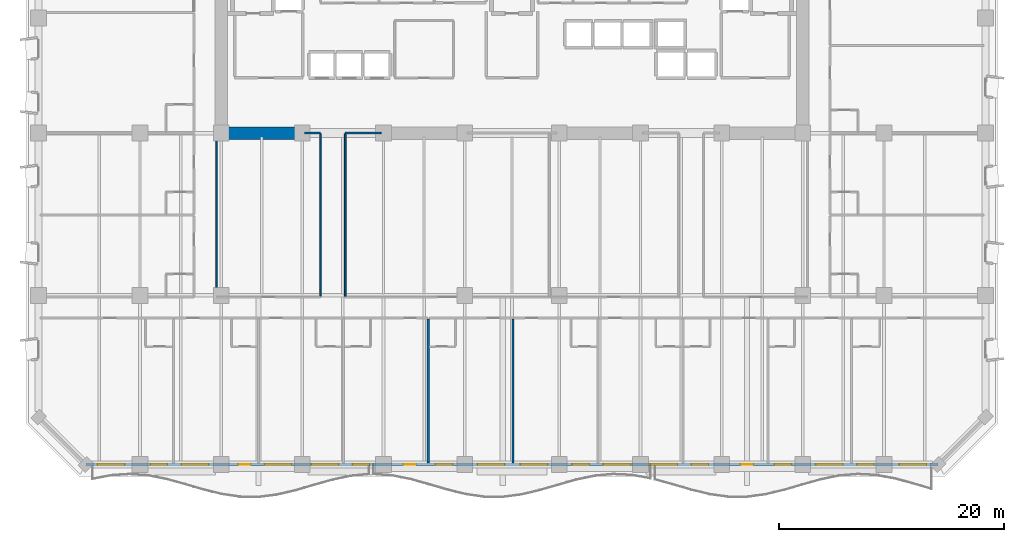
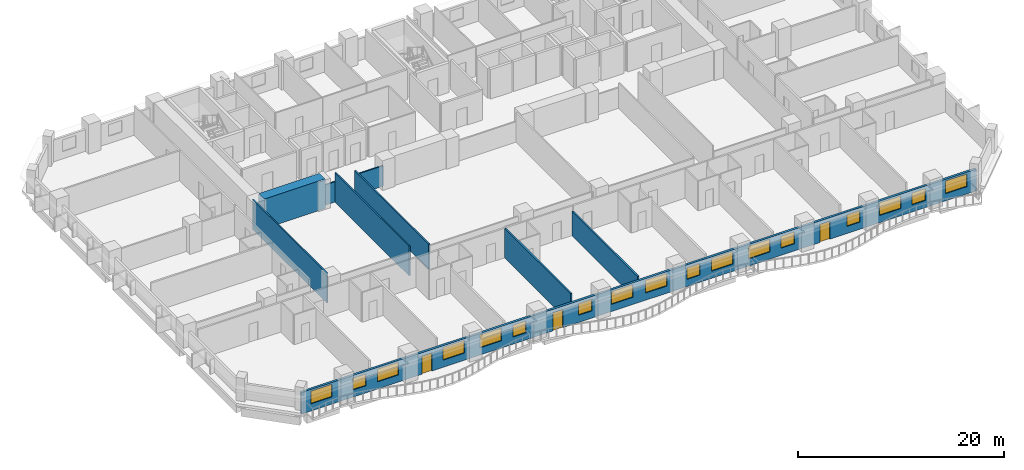
# One storey, part 5 of 15: 17 windows, 9 walls, 3 doors, 20 openings.
"""IFC4 building model written with IfcOpenShell, lengths in metres."""

from ifc_helpers import new_model, si_unit, direction, frame, frame_2d, origin, place, context, subcontext, project, spatial, rectangle, extrude, material, layer, layer_set, type_object, element, fill, save


model = new_model("IFC4")

# Units and contexts
model_context = context("Model", 3, precision=1e-05, world=origin(), true_north=direction((0.0, 1.0)))
body_context = subcontext(model_context, "Body", "Model", "MODEL_VIEW")
ifc_project = project(units=[si_unit("LENGTHUNIT", "METRE"), si_unit("AREAUNIT", "SQUARE_METRE"), si_unit("VOLUMEUNIT", "CUBIC_METRE"), si_unit("PLANEANGLEUNIT", "RADIAN"), si_unit("MASSUNIT", "GRAM", prefix="KILO")], contexts=[model_context])

# Site, building, storey
site_placement = place(None, origin())
site = spatial("IfcSite", under=ifc_project, at=site_placement, CompositionType="ELEMENT")
building_placement = place(site_placement, origin())
building = spatial("IfcBuilding", under=site, at=building_placement, Name="Kaelvorn Grand Hotel", CompositionType="ELEMENT")
storey_placement = place(building_placement, frame((0.0, 0.0, 68.89990234375)))
storey = spatial("IfcBuildingStorey", under=building, at=storey_placement, Name="L15", CompositionType="ELEMENT", Elevation=68.89990234375)

# Wall
ifc_material_1 = material(Name="Concrete C80/95", Category="concrete")
ifc_layer_1 = layer(ifc_material_1, 1.10009765625)
ifc_layer_set_1 = layer_set([ifc_layer_1], Name="Concrete C80/95")
wall_type_1 = type_object("IfcWallType", Name="WL-CORE-1100-C80", PredefinedType="SHEAR", material=ifc_layer_set_1)
wall_1_placement = place(storey_placement, frame((16.7548828125, 29.39990234375, 0.0), z_axis=(0.0, 0.0, 1.0), x_axis=(1.0, 0.0, 0.0)))
element("IfcWall", 1, at=wall_1_placement, inside=storey, type_object=wall_type_1, Name="L15 Rear-Core Coupled Shear Pier S1", PredefinedType="SHEAR", context=body_context, shape_type="SweptSolid", body=[
    extrude(rectangle(XDim=6.84521484375, YDim=1.10009765625, at=frame_2d((3.422607421875, 0.0))), origin(), (0.0, 0.0, 1.0), 3.510009765625),
])

# Wall, openings, doors, windows
ifc_material_2 = material(Name="Concrete C40/50", Category="concrete")
ifc_layer_2 = layer(ifc_material_2, 0.260009765625)
ifc_layer_set_2 = layer_set([ifc_layer_2], Name="Concrete C40/50")
wall_type_2 = type_object("IfcWallType", Name="WL-EXT-260-C40", PredefinedType="SOLIDWALL", material=ifc_layer_set_2)
wall_2_placement = place(storey_placement, frame((4.199951171875, 0.0, 0.0), z_axis=(0.0, 0.0, 1.0), x_axis=(1.0, 0.0, 0.0)))
wall_2 = element("IfcWall", 2, at=wall_2_placement, inside=storey, type_object=wall_type_2, Name="L15 Exterior Architectural Concrete Wall 01", PredefinedType="SOLIDWALL", context=body_context, shape_type="SweptSolid", body=[
    extrude(rectangle(XDim=75.60009765625, YDim=0.260009765625, at=frame_2d((37.800048828125, 0.0))), origin(), (0.0, 0.0, 1.0), 2.56005859375),
])
opening_1_placement = place(wall_2_placement, frame((13.5166015625, 0.0, 0.0)))
opening_1 = element("IfcOpeningElement", 3, at=opening_1_placement, cuts=wall_2, Name="Opening DE2", PredefinedType="OPENING", context=body_context, shape_type="SweptSolid", body=[
    extrude(rectangle(XDim=1.10009765625, YDim=2.14990234375, at=frame_2d((0.550048828125, 1.074951171875))), frame((0.0, 0.14013671875, 0.0), z_axis=(0.0, -1.0, 0.0), x_axis=(1.0, 0.0, 0.0)), (0.0, 0.0, 1.0), 0.280029296875),
])
opening_2_placement = place(wall_2_placement, frame((28.183349609375, 0.0, 0.0)))
opening_2 = element("IfcOpeningElement", 4, at=opening_2_placement, cuts=wall_2, Name="Opening DE2", PredefinedType="OPENING", context=body_context, shape_type="SweptSolid", body=[
    extrude(rectangle(XDim=1.10009765625, YDim=2.14990234375, at=frame_2d((0.550048828125, 1.074951171875))), frame((0.0, 0.14013671875, 0.0), z_axis=(0.0, -1.0, 0.0), x_axis=(1.0, 0.0, 0.0)), (0.0, 0.0, 1.0), 0.280029296875),
])
opening_3_placement = place(wall_2_placement, frame((58.094482421875, 0.0, 0.0)))
opening_3 = element("IfcOpeningElement", 5, at=opening_3_placement, cuts=wall_2, Name="Opening DE2", PredefinedType="OPENING", context=body_context, shape_type="SweptSolid", body=[
    extrude(rectangle(XDim=1.10009765625, YDim=2.14990234375, at=frame_2d((0.550048828125, 1.074951171875))), frame((0.0, 0.14013671875, 0.0), z_axis=(0.0, -1.0, 0.0), x_axis=(1.0, 0.0, 0.0)), (0.0, 0.0, 1.0), 0.280029296875),
])
opening_4_placement = place(wall_2_placement, frame((1.034912109375, 0.0, 0.85009765625)))
opening_4 = element("IfcOpeningElement", 6, at=opening_4_placement, cuts=wall_2, Name="Opening W6", PredefinedType="OPENING", context=body_context, shape_type="SweptSolid", body=[
    extrude(rectangle(XDim=2.39990234375, YDim=1.5, at=frame_2d((1.199951171875, 0.75))), frame((0.0, 0.14013671875, 0.0), z_axis=(0.0, -1.0, 0.0), x_axis=(1.0, 0.0, 0.0)), (0.0, 0.0, 1.0), 0.280029296875),
])
opening_5_placement = place(wall_2_placement, frame((5.739990234375, 0.0, 0.85009765625)))
opening_5 = element("IfcOpeningElement", 7, at=opening_5_placement, cuts=wall_2, Name="Opening W10", PredefinedType="OPENING", context=body_context, shape_type="SweptSolid", body=[
    extrude(rectangle(XDim=1.5, YDim=1.39990234375, at=frame_2d((0.75, 0.699951171875))), frame((0.0, 0.14013671875, 0.0), z_axis=(0.0, -1.0, 0.0), x_axis=(1.0, 0.0, 0.0)), (0.0, 0.0, 1.0), 0.280029296875),
])
opening_6_placement = place(wall_2_placement, frame((8.489990234375, 0.0, 0.85009765625)))
opening_6 = element("IfcOpeningElement", 8, at=opening_6_placement, cuts=wall_2, Name="Opening W6", PredefinedType="OPENING", context=body_context, shape_type="SweptSolid", body=[
    extrude(rectangle(XDim=2.39990234375, YDim=1.5, at=frame_2d((1.199951171875, 0.75))), frame((0.0, 0.14013671875, 0.0), z_axis=(0.0, -1.0, 0.0), x_axis=(1.0, 0.0, 0.0)), (0.0, 0.0, 1.0), 0.280029296875),
])
opening_7_placement = place(wall_2_placement, frame((15.85498046875, 0.0, 0.85009765625)))
opening_7 = element("IfcOpeningElement", 9, at=opening_7_placement, cuts=wall_2, Name="Opening W6", PredefinedType="OPENING", context=body_context, shape_type="SweptSolid", body=[
    extrude(rectangle(XDim=2.39990234375, YDim=1.5, at=frame_2d((1.199951171875, 0.75))), frame((0.0, 0.14013671875, 0.0), z_axis=(0.0, -1.0, 0.0), x_axis=(1.0, 0.0, 0.0)), (0.0, 0.0, 1.0), 0.280029296875),
])
opening_8_placement = place(wall_2_placement, frame((20.02001953125, 0.0, 0.85009765625)))
opening_8 = element("IfcOpeningElement", 10, at=opening_8_placement, cuts=wall_2, Name="Opening W6", PredefinedType="OPENING", context=body_context, shape_type="SweptSolid", body=[
    extrude(rectangle(XDim=2.39990234375, YDim=1.5, at=frame_2d((1.199951171875, 0.75))), frame((0.0, 0.14013671875, 0.0), z_axis=(0.0, -1.0, 0.0), x_axis=(1.0, 0.0, 0.0)), (0.0, 0.0, 1.0), 0.280029296875),
])
opening_9_placement = place(wall_2_placement, frame((23.669921875, 0.0, 0.85009765625)))
opening_9 = element("IfcOpeningElement", 11, at=opening_9_placement, cuts=wall_2, Name="Opening W10", PredefinedType="OPENING", context=body_context, shape_type="SweptSolid", body=[
    extrude(rectangle(XDim=1.5, YDim=1.39990234375, at=frame_2d((0.75, 0.699951171875))), frame((0.0, 0.14013671875, 0.0), z_axis=(0.0, -1.0, 0.0), x_axis=(1.0, 0.0, 0.0)), (0.0, 0.0, 1.0), 0.280029296875),
])
opening_10_placement = place(wall_2_placement, frame((31.034912109375, 0.0, 0.85009765625)))
opening_10 = element("IfcOpeningElement", 12, at=opening_10_placement, cuts=wall_2, Name="Opening W10", PredefinedType="OPENING", context=body_context, shape_type="SweptSolid", body=[
    extrude(rectangle(XDim=1.5, YDim=1.39990234375, at=frame_2d((0.75, 0.699951171875))), frame((0.0, 0.14013671875, 0.0), z_axis=(0.0, -1.0, 0.0), x_axis=(1.0, 0.0, 0.0)), (0.0, 0.0, 1.0), 0.280029296875),
])
opening_11_placement = place(wall_2_placement, frame((34.75, 0.0, 0.85009765625)))
opening_11 = element("IfcOpeningElement", 13, at=opening_11_placement, cuts=wall_2, Name="Opening W6", PredefinedType="OPENING", context=body_context, shape_type="SweptSolid", body=[
    extrude(rectangle(XDim=2.39990234375, YDim=1.5, at=frame_2d((1.199951171875, 0.75))), frame((0.0, 0.14013671875, 0.0), z_axis=(0.0, -1.0, 0.0), x_axis=(1.0, 0.0, 0.0)), (0.0, 0.0, 1.0), 0.280029296875),
])
opening_12_placement = place(wall_2_placement, frame((38.550048828125, 0.0, 0.85009765625)))
opening_12 = element("IfcOpeningElement", 14, at=opening_12_placement, cuts=wall_2, Name="Opening W6", PredefinedType="OPENING", context=body_context, shape_type="SweptSolid", body=[
    extrude(rectangle(XDim=2.39990234375, YDim=1.5, at=frame_2d((1.199951171875, 0.75))), frame((0.0, 0.14013671875, 0.0), z_axis=(0.0, -1.0, 0.0), x_axis=(1.0, 0.0, 0.0)), (0.0, 0.0, 1.0), 0.280029296875),
])
opening_13_placement = place(wall_2_placement, frame((43.1650390625, 0.0, 0.85009765625)))
opening_13 = element("IfcOpeningElement", 15, at=opening_13_placement, cuts=wall_2, Name="Opening W10", PredefinedType="OPENING", context=body_context, shape_type="SweptSolid", body=[
    extrude(rectangle(XDim=1.5, YDim=1.39990234375, at=frame_2d((0.75, 0.699951171875))), frame((0.0, 0.14013671875, 0.0), z_axis=(0.0, -1.0, 0.0), x_axis=(1.0, 0.0, 0.0)), (0.0, 0.0, 1.0), 0.280029296875),
])
opening_14_placement = place(wall_2_placement, frame((45.9150390625, 0.0, 0.85009765625)))
opening_14 = element("IfcOpeningElement", 16, at=opening_14_placement, cuts=wall_2, Name="Opening W6", PredefinedType="OPENING", context=body_context, shape_type="SweptSolid", body=[
    extrude(rectangle(XDim=2.39990234375, YDim=1.5, at=frame_2d((1.199951171875, 0.75))), frame((0.0, 0.14013671875, 0.0), z_axis=(0.0, -1.0, 0.0), x_axis=(1.0, 0.0, 0.0)), (0.0, 0.0, 1.0), 0.280029296875),
])
opening_15_placement = place(wall_2_placement, frame((50.08056640625, 0.0, 0.85009765625)))
opening_15 = element("IfcOpeningElement", 17, at=opening_15_placement, cuts=wall_2, Name="Opening W6", PredefinedType="OPENING", context=body_context, shape_type="SweptSolid", body=[
    extrude(rectangle(XDim=2.39990234375, YDim=1.5, at=frame_2d((1.199951171875, 0.75))), frame((0.0, 0.14013671875, 0.0), z_axis=(0.0, -1.0, 0.0), x_axis=(1.0, 0.0, 0.0)), (0.0, 0.0, 1.0), 0.280029296875),
])
opening_16_placement = place(wall_2_placement, frame((53.73046875, 0.0, 0.85009765625)))
opening_16 = element("IfcOpeningElement", 18, at=opening_16_placement, cuts=wall_2, Name="Opening W10", PredefinedType="OPENING", context=body_context, shape_type="SweptSolid", body=[
    extrude(rectangle(XDim=1.5, YDim=1.39990234375, at=frame_2d((0.75, 0.699951171875))), frame((0.0, 0.14013671875, 0.0), z_axis=(0.0, -1.0, 0.0), x_axis=(1.0, 0.0, 0.0)), (0.0, 0.0, 1.0), 0.280029296875),
])
opening_17_placement = place(wall_2_placement, frame((61.095458984375, 0.0, 0.85009765625)))
opening_17 = element("IfcOpeningElement", 19, at=opening_17_placement, cuts=wall_2, Name="Opening W10", PredefinedType="OPENING", context=body_context, shape_type="SweptSolid", body=[
    extrude(rectangle(XDim=1.5, YDim=1.39990234375, at=frame_2d((0.75, 0.699951171875))), frame((0.0, 0.14013671875, 0.0), z_axis=(0.0, -1.0, 0.0), x_axis=(1.0, 0.0, 0.0)), (0.0, 0.0, 1.0), 0.280029296875),
])
opening_18_placement = place(wall_2_placement, frame((64.760009765625, 0.0, 0.85009765625)))
opening_18 = element("IfcOpeningElement", 20, at=opening_18_placement, cuts=wall_2, Name="Opening W6", PredefinedType="OPENING", context=body_context, shape_type="SweptSolid", body=[
    extrude(rectangle(XDim=2.39990234375, YDim=1.5, at=frame_2d((1.199951171875, 0.75))), frame((0.0, 0.14013671875, 0.0), z_axis=(0.0, -1.0, 0.0), x_axis=(1.0, 0.0, 0.0)), (0.0, 0.0, 1.0), 0.280029296875),
])
opening_19_placement = place(wall_2_placement, frame((68.409912109375, 0.0, 0.85009765625)))
opening_19 = element("IfcOpeningElement", 21, at=opening_19_placement, cuts=wall_2, Name="Opening W10", PredefinedType="OPENING", context=body_context, shape_type="SweptSolid", body=[
    extrude(rectangle(XDim=1.5, YDim=1.39990234375, at=frame_2d((0.75, 0.699951171875))), frame((0.0, 0.14013671875, 0.0), z_axis=(0.0, -1.0, 0.0), x_axis=(1.0, 0.0, 0.0)), (0.0, 0.0, 1.0), 0.280029296875),
])
opening_20_placement = place(wall_2_placement, frame((72.1650390625, 0.0, 0.85009765625)))
opening_20 = element("IfcOpeningElement", 22, at=opening_20_placement, cuts=wall_2, Name="Opening W6", PredefinedType="OPENING", context=body_context, shape_type="SweptSolid", body=[
    extrude(rectangle(XDim=2.39990234375, YDim=1.5, at=frame_2d((1.199951171875, 0.75))), frame((0.0, 0.14013671875, 0.0), z_axis=(0.0, -1.0, 0.0), x_axis=(1.0, 0.0, 0.0)), (0.0, 0.0, 1.0), 0.280029296875),
])
ifc_material_3 = material(Name="Anodised Aluminium", Category="aluminium")
door_type = type_object("IfcDoorType", Name="DR-EXT-BALC-1100x2150", OperationType="NOTDEFINED", PredefinedType="DOOR", material=ifc_material_3)
door_1_placement = place(opening_1_placement, origin())
door_1 = element("IfcDoor", 23, at=door_1_placement, inside=storey, type_object=door_type, Name="L15 Scalloped Balcony Glazed Door DE2-1", OperationType="SINGLE_SWING_RIGHT", OverallHeight=2.14990234375, OverallWidth=1.10009765625, PredefinedType="DOOR", context=body_context, shape_type="SweptSolid", body=[
    extrude(rectangle(XDim=1.10009765625, YDim=2.14990234375, at=frame_2d((0.550048828125, 1.074951171875))), frame((0.0, 0.02490234375, 0.0), z_axis=(0.0, -1.0, 0.0), x_axis=(1.0, 0.0, 0.0)), (0.0, 0.0, 1.0), 0.050048828125),
])
fill(opening_1, door_1)
door_2_placement = place(opening_2_placement, origin())
door_2 = element("IfcDoor", 24, at=door_2_placement, inside=storey, type_object=door_type, Name="L15 Scalloped Balcony Glazed Door DE2-2", OperationType="SINGLE_SWING_LEFT", OverallHeight=2.14990234375, OverallWidth=1.10009765625, PredefinedType="DOOR", context=body_context, shape_type="SweptSolid", body=[
    extrude(rectangle(XDim=1.10009765625, YDim=2.14990234375, at=frame_2d((0.550048828125, 1.074951171875))), frame((0.0, 0.02490234375, 0.0), z_axis=(0.0, -1.0, 0.0), x_axis=(1.0, 0.0, 0.0)), (0.0, 0.0, 1.0), 0.050048828125),
])
fill(opening_2, door_2)
door_3_placement = place(opening_3_placement, origin())
door_3 = element("IfcDoor", 25, at=door_3_placement, inside=storey, type_object=door_type, Name="L15 Scalloped Balcony Glazed Door DE2-3", OperationType="SINGLE_SWING_RIGHT", OverallHeight=2.14990234375, OverallWidth=1.10009765625, PredefinedType="DOOR", context=body_context, shape_type="SweptSolid", body=[
    extrude(rectangle(XDim=1.10009765625, YDim=2.14990234375, at=frame_2d((0.550048828125, 1.074951171875))), frame((0.0, 0.02490234375, 0.0), z_axis=(0.0, -1.0, 0.0), x_axis=(1.0, 0.0, 0.0)), (0.0, 0.0, 1.0), 0.050048828125),
])
fill(opening_3, door_3)
ifc_material_4 = material(Name="Laminated Low-E Glass", Category="glass")
window_type_1 = type_object("IfcWindowType", Name="WIN-COR-1500x1400", PartitioningType="SINGLE_PANEL", PredefinedType="WINDOW", material=ifc_material_4)
window_1_placement = place(opening_5_placement, origin())
window_1 = element("IfcWindow", 26, at=window_1_placement, inside=storey, type_object=window_type_1, Name="L15 South Guestroom Ribbon Window SR02", OverallHeight=1.39990234375, OverallWidth=1.5, PartitioningType="SINGLE_PANEL", PredefinedType="WINDOW", context=body_context, shape_type="SweptSolid", body=[
    extrude(rectangle(XDim=1.5, YDim=1.39990234375, at=frame_2d((0.75, 0.699951171875))), frame((0.0, 0.030029296875, 0.0), z_axis=(0.0, -1.0, 0.0), x_axis=(1.0, 0.0, 0.0)), (0.0, 0.0, 1.0), 0.06005859375),
])
fill(opening_5, window_1)
window_2_placement = place(opening_9_placement, origin())
window_2 = element("IfcWindow", 27, at=window_2_placement, inside=storey, type_object=window_type_1, Name="L15 South Guestroom Ribbon Window SR06", OverallHeight=1.39990234375, OverallWidth=1.5, PartitioningType="SINGLE_PANEL", PredefinedType="WINDOW", context=body_context, shape_type="SweptSolid", body=[
    extrude(rectangle(XDim=1.5, YDim=1.39990234375, at=frame_2d((0.75, 0.699951171875))), frame((0.0, 0.030029296875, 0.0), z_axis=(0.0, -1.0, 0.0), x_axis=(1.0, 0.0, 0.0)), (0.0, 0.0, 1.0), 0.06005859375),
])
fill(opening_9, window_2)
window_3_placement = place(opening_10_placement, origin())
window_3 = element("IfcWindow", 28, at=window_3_placement, inside=storey, type_object=window_type_1, Name="L15 South Guestroom Ribbon Window SR07", OverallHeight=1.39990234375, OverallWidth=1.5, PartitioningType="SINGLE_PANEL", PredefinedType="WINDOW", context=body_context, shape_type="SweptSolid", body=[
    extrude(rectangle(XDim=1.5, YDim=1.39990234375, at=frame_2d((0.75, 0.699951171875))), frame((0.0, 0.030029296875, 0.0), z_axis=(0.0, -1.0, 0.0), x_axis=(1.0, 0.0, 0.0)), (0.0, 0.0, 1.0), 0.06005859375),
])
fill(opening_10, window_3)
window_4_placement = place(opening_13_placement, origin())
window_4 = element("IfcWindow", 29, at=window_4_placement, inside=storey, type_object=window_type_1, Name="L15 South Guestroom Ribbon Window SR10", OverallHeight=1.39990234375, OverallWidth=1.5, PartitioningType="SINGLE_PANEL", PredefinedType="WINDOW", context=body_context, shape_type="SweptSolid", body=[
    extrude(rectangle(XDim=1.5, YDim=1.39990234375, at=frame_2d((0.75, 0.699951171875))), frame((0.0, 0.030029296875, 0.0), z_axis=(0.0, -1.0, 0.0), x_axis=(1.0, 0.0, 0.0)), (0.0, 0.0, 1.0), 0.06005859375),
])
fill(opening_13, window_4)
window_5_placement = place(opening_16_placement, origin())
window_5 = element("IfcWindow", 30, at=window_5_placement, inside=storey, type_object=window_type_1, Name="L15 South Guestroom Ribbon Window SR13", OverallHeight=1.39990234375, OverallWidth=1.5, PartitioningType="SINGLE_PANEL", PredefinedType="WINDOW", context=body_context, shape_type="SweptSolid", body=[
    extrude(rectangle(XDim=1.5, YDim=1.39990234375, at=frame_2d((0.75, 0.699951171875))), frame((0.0, 0.030029296875, 0.0), z_axis=(0.0, -1.0, 0.0), x_axis=(1.0, 0.0, 0.0)), (0.0, 0.0, 1.0), 0.06005859375),
])
fill(opening_16, window_5)
window_6_placement = place(opening_17_placement, origin())
window_6 = element("IfcWindow", 31, at=window_6_placement, inside=storey, type_object=window_type_1, Name="L15 South Guestroom Ribbon Window SR14", OverallHeight=1.39990234375, OverallWidth=1.5, PartitioningType="SINGLE_PANEL", PredefinedType="WINDOW", context=body_context, shape_type="SweptSolid", body=[
    extrude(rectangle(XDim=1.5, YDim=1.39990234375, at=frame_2d((0.75, 0.699951171875))), frame((0.0, 0.030029296875, 0.0), z_axis=(0.0, -1.0, 0.0), x_axis=(1.0, 0.0, 0.0)), (0.0, 0.0, 1.0), 0.06005859375),
])
fill(opening_17, window_6)
window_7_placement = place(opening_19_placement, origin())
window_7 = element("IfcWindow", 32, at=window_7_placement, inside=storey, type_object=window_type_1, Name="L15 South Guestroom Ribbon Window SR16", OverallHeight=1.39990234375, OverallWidth=1.5, PartitioningType="SINGLE_PANEL", PredefinedType="WINDOW", context=body_context, shape_type="SweptSolid", body=[
    extrude(rectangle(XDim=1.5, YDim=1.39990234375, at=frame_2d((0.75, 0.699951171875))), frame((0.0, 0.030029296875, 0.0), z_axis=(0.0, -1.0, 0.0), x_axis=(1.0, 0.0, 0.0)), (0.0, 0.0, 1.0), 0.06005859375),
])
fill(opening_19, window_7)
window_type_2 = type_object("IfcWindowType", Name="WIN-NTH-2400x1500", PartitioningType="SINGLE_PANEL", PredefinedType="WINDOW", material=ifc_material_4)
window_8_placement = place(opening_4_placement, origin())
window_8 = element("IfcWindow", 33, at=window_8_placement, inside=storey, type_object=window_type_2, Name="L15 South Guestroom Ribbon Window SR01", OverallHeight=1.5, OverallWidth=2.39990234375, PartitioningType="SINGLE_PANEL", PredefinedType="WINDOW", context=body_context, shape_type="SweptSolid", body=[
    extrude(rectangle(XDim=2.39990234375, YDim=1.5, at=frame_2d((1.199951171875, 0.75))), frame((0.0, 0.030029296875, 0.0), z_axis=(0.0, -1.0, 0.0), x_axis=(1.0, 0.0, 0.0)), (0.0, 0.0, 1.0), 0.06005859375),
])
fill(opening_4, window_8)
window_9_placement = place(opening_6_placement, origin())
window_9 = element("IfcWindow", 34, at=window_9_placement, inside=storey, type_object=window_type_2, Name="L15 South Guestroom Ribbon Window SR03", OverallHeight=1.5, OverallWidth=2.39990234375, PartitioningType="SINGLE_PANEL", PredefinedType="WINDOW", context=body_context, shape_type="SweptSolid", body=[
    extrude(rectangle(XDim=2.39990234375, YDim=1.5, at=frame_2d((1.199951171875, 0.75))), frame((0.0, 0.030029296875, 0.0), z_axis=(0.0, -1.0, 0.0), x_axis=(1.0, 0.0, 0.0)), (0.0, 0.0, 1.0), 0.06005859375),
])
fill(opening_6, window_9)
window_10_placement = place(opening_7_placement, origin())
window_10 = element("IfcWindow", 35, at=window_10_placement, inside=storey, type_object=window_type_2, Name="L15 South Guestroom Ribbon Window SR04", OverallHeight=1.5, OverallWidth=2.39990234375, PartitioningType="SINGLE_PANEL", PredefinedType="WINDOW", context=body_context, shape_type="SweptSolid", body=[
    extrude(rectangle(XDim=2.39990234375, YDim=1.5, at=frame_2d((1.199951171875, 0.75))), frame((0.0, 0.030029296875, 0.0), z_axis=(0.0, -1.0, 0.0), x_axis=(1.0, 0.0, 0.0)), (0.0, 0.0, 1.0), 0.06005859375),
])
fill(opening_7, window_10)
window_11_placement = place(opening_8_placement, origin())
window_11 = element("IfcWindow", 36, at=window_11_placement, inside=storey, type_object=window_type_2, Name="L15 South Guestroom Ribbon Window SR05", OverallHeight=1.5, OverallWidth=2.39990234375, PartitioningType="SINGLE_PANEL", PredefinedType="WINDOW", context=body_context, shape_type="SweptSolid", body=[
    extrude(rectangle(XDim=2.39990234375, YDim=1.5, at=frame_2d((1.199951171875, 0.75))), frame((0.0, 0.030029296875, 0.0), z_axis=(0.0, -1.0, 0.0), x_axis=(1.0, 0.0, 0.0)), (0.0, 0.0, 1.0), 0.06005859375),
])
fill(opening_8, window_11)
window_12_placement = place(opening_11_placement, origin())
window_12 = element("IfcWindow", 37, at=window_12_placement, inside=storey, type_object=window_type_2, Name="L15 South Guestroom Ribbon Window SR08", OverallHeight=1.5, OverallWidth=2.39990234375, PartitioningType="SINGLE_PANEL", PredefinedType="WINDOW", context=body_context, shape_type="SweptSolid", body=[
    extrude(rectangle(XDim=2.39990234375, YDim=1.5, at=frame_2d((1.199951171875, 0.75))), frame((0.0, 0.030029296875, 0.0), z_axis=(0.0, -1.0, 0.0), x_axis=(1.0, 0.0, 0.0)), (0.0, 0.0, 1.0), 0.06005859375),
])
fill(opening_11, window_12)
window_13_placement = place(opening_12_placement, origin())
window_13 = element("IfcWindow", 38, at=window_13_placement, inside=storey, type_object=window_type_2, Name="L15 South Guestroom Ribbon Window SR09", OverallHeight=1.5, OverallWidth=2.39990234375, PartitioningType="SINGLE_PANEL", PredefinedType="WINDOW", context=body_context, shape_type="SweptSolid", body=[
    extrude(rectangle(XDim=2.39990234375, YDim=1.5, at=frame_2d((1.199951171875, 0.75))), frame((0.0, 0.030029296875, 0.0), z_axis=(0.0, -1.0, 0.0), x_axis=(1.0, 0.0, 0.0)), (0.0, 0.0, 1.0), 0.06005859375),
])
fill(opening_12, window_13)
window_14_placement = place(opening_14_placement, origin())
window_14 = element("IfcWindow", 39, at=window_14_placement, inside=storey, type_object=window_type_2, Name="L15 South Guestroom Ribbon Window SR11", OverallHeight=1.5, OverallWidth=2.39990234375, PartitioningType="SINGLE_PANEL", PredefinedType="WINDOW", context=body_context, shape_type="SweptSolid", body=[
    extrude(rectangle(XDim=2.39990234375, YDim=1.5, at=frame_2d((1.199951171875, 0.75))), frame((0.0, 0.030029296875, 0.0), z_axis=(0.0, -1.0, 0.0), x_axis=(1.0, 0.0, 0.0)), (0.0, 0.0, 1.0), 0.06005859375),
])
fill(opening_14, window_14)
window_15_placement = place(opening_15_placement, origin())
window_15 = element("IfcWindow", 40, at=window_15_placement, inside=storey, type_object=window_type_2, Name="L15 South Guestroom Ribbon Window SR12", OverallHeight=1.5, OverallWidth=2.39990234375, PartitioningType="SINGLE_PANEL", PredefinedType="WINDOW", context=body_context, shape_type="SweptSolid", body=[
    extrude(rectangle(XDim=2.39990234375, YDim=1.5, at=frame_2d((1.199951171875, 0.75))), frame((0.0, 0.030029296875, 0.0), z_axis=(0.0, -1.0, 0.0), x_axis=(1.0, 0.0, 0.0)), (0.0, 0.0, 1.0), 0.06005859375),
])
fill(opening_15, window_15)
window_16_placement = place(opening_18_placement, origin())
window_16 = element("IfcWindow", 41, at=window_16_placement, inside=storey, type_object=window_type_2, Name="L15 South Guestroom Ribbon Window SR15", OverallHeight=1.5, OverallWidth=2.39990234375, PartitioningType="SINGLE_PANEL", PredefinedType="WINDOW", context=body_context, shape_type="SweptSolid", body=[
    extrude(rectangle(XDim=2.39990234375, YDim=1.5, at=frame_2d((1.199951171875, 0.75))), frame((0.0, 0.030029296875, 0.0), z_axis=(0.0, -1.0, 0.0), x_axis=(1.0, 0.0, 0.0)), (0.0, 0.0, 1.0), 0.06005859375),
])
fill(opening_18, window_16)
window_17_placement = place(opening_20_placement, origin())
window_17 = element("IfcWindow", 42, at=window_17_placement, inside=storey, type_object=window_type_2, Name="L15 South Guestroom Ribbon Window SR17", OverallHeight=1.5, OverallWidth=2.39990234375, PartitioningType="SINGLE_PANEL", PredefinedType="WINDOW", context=body_context, shape_type="SweptSolid", body=[
    extrude(rectangle(XDim=2.39990234375, YDim=1.5, at=frame_2d((1.199951171875, 0.75))), frame((0.0, 0.030029296875, 0.0), z_axis=(0.0, -1.0, 0.0), x_axis=(1.0, 0.0, 0.0)), (0.0, 0.0, 1.0), 0.06005859375),
])
fill(opening_20, window_17)

# Walls
ifc_material_5 = material(Name="Acoustic Gypsum & Stud Partition")
ifc_layer_3 = layer(ifc_material_5, 0.14990234375)
ifc_layer_set_3 = layer_set([ifc_layer_3], Name="Acoustic Gypsum & Stud Partition")
wall_type_3 = type_object("IfcWallType", Name="WL-PART-150-EI60", PredefinedType="PARTITIONING", material=ifc_layer_set_3)
wall_3_placement = place(storey_placement, frame((23.610107421875, 29.39990234375, 0.0), z_axis=(0.0, 0.0, 1.0), x_axis=(1.0, 0.0, 0.0)))
element("IfcWall", 43, at=wall_3_placement, inside=storey, type_object=wall_type_3, Name="L15 Wellness Spa Salon N Partition", PredefinedType="PARTITIONING", context=body_context, shape_type="SweptSolid", body=[
    extrude(rectangle(XDim=1.389892578125, YDim=0.14990234375, at=frame_2d((0.69482421875, 0.0))), origin(), (0.0, 0.0, 1.0), 2.41015625),
])
wall_4_placement = place(storey_placement, frame((15.800048828125, 14.929931640625, 0.0), z_axis=(0.0, 0.0, 1.0), x_axis=(0.0, 1.0, 0.0)))
element("IfcWall", 44, at=wall_4_placement, inside=storey, type_object=wall_type_3, Name="L15 Wellness Spa Salon W Partition", PredefinedType="PARTITIONING", context=body_context, shape_type="SweptSolid", body=[
    extrude(rectangle(XDim=14.4599609375, YDim=0.14990234375, at=frame_2d((7.22998046875, 0.0))), origin(), (0.0, 0.0, 1.0), 3.510009765625),
])
wall_5_placement = place(storey_placement, frame((25.0, 14.929931640625, 0.0), z_axis=(0.0, 0.0, 1.0), x_axis=(0.0, 1.0, 0.0)))
element("IfcWall", 45, at=wall_5_placement, inside=storey, type_object=wall_type_3, Name="L15 Wellness Spa Salon E Partition", PredefinedType="PARTITIONING", context=body_context, shape_type="SweptSolid", body=[
    extrude(rectangle(XDim=14.39013671875, YDim=0.14990234375, at=frame_2d((7.195068359375, 0.0))), origin(), (0.0, 0.0, 1.0), 3.510009765625),
])
wall_6_placement = place(storey_placement, frame((27.199951171875, 29.39990234375, 0.0), z_axis=(0.0, 0.0, 1.0), x_axis=(1.0, 0.0, 0.0)))
element("IfcWall", 46, at=wall_6_placement, inside=storey, type_object=wall_type_3, Name="L15 Guest Pantry Kitchen N Partition (1)", PredefinedType="PARTITIONING", context=body_context, shape_type="SweptSolid", body=[
    extrude(rectangle(XDim=3.18994140625, YDim=0.14990234375, at=frame_2d((1.594970703125, 0.0))), origin(), (0.0, 0.0, 1.0), 2.41015625),
])
wall_7_placement = place(storey_placement, frame((27.199951171875, 14.929931640625, 0.0), z_axis=(0.0, 0.0, 1.0), x_axis=(0.0, 1.0, 0.0)))
element("IfcWall", 47, at=wall_7_placement, inside=storey, type_object=wall_type_3, Name="L15 Guest Pantry Kitchen W Partition", PredefinedType="PARTITIONING", context=body_context, shape_type="SweptSolid", body=[
    extrude(rectangle(XDim=14.39013671875, YDim=0.14990234375, at=frame_2d((7.195068359375, 0.0))), origin(), (0.0, 0.0, 1.0), 2.97705078125),
])
ifc_layer_4 = layer(ifc_material_5, 0.179931640625)
ifc_layer_set_4 = layer_set([ifc_layer_4], Name="Acoustic Gypsum & Stud Partition")
wall_type_4 = type_object("IfcWallType", Name="WL-PART-180-EI60", PredefinedType="PARTITIONING", material=ifc_layer_set_4)
wall_8_placement = place(storey_placement, frame((34.5703125, 0.14990234375, 0.0), z_axis=(0.0, 0.0, 1.0), x_axis=(0.0, 1.0, 0.0)))
element("IfcWall", 48, at=wall_8_placement, inside=storey, type_object=wall_type_4, Name="L15 Deluxe Panoramic Suite L15-04 E Partition", PredefinedType="PARTITIONING", context=body_context, shape_type="SweptSolid", body=[
    extrude(rectangle(XDim=12.755126953125, YDim=0.179931640625, at=frame_2d((6.37744140625, 0.0))), origin(), (0.0, 0.0, 1.0), 3.510009765625),
])
wall_9_placement = place(storey_placement, frame((42.100341796875, 0.14990234375, 0.0), z_axis=(0.0, 0.0, 1.0), x_axis=(0.0, 1.0, 0.0)))
element("IfcWall", 49, at=wall_9_placement, inside=storey, type_object=wall_type_4, Name="L15 Deluxe Panoramic Suite L15-05 E Partition", PredefinedType="PARTITIONING", context=body_context, shape_type="SweptSolid", body=[
    extrude(rectangle(XDim=12.755126953125, YDim=0.179931640625, at=frame_2d((6.37744140625, 0.0))), origin(), (0.0, 0.0, 1.0), 2.89794921875),
])

save(model, "model.ifc")
